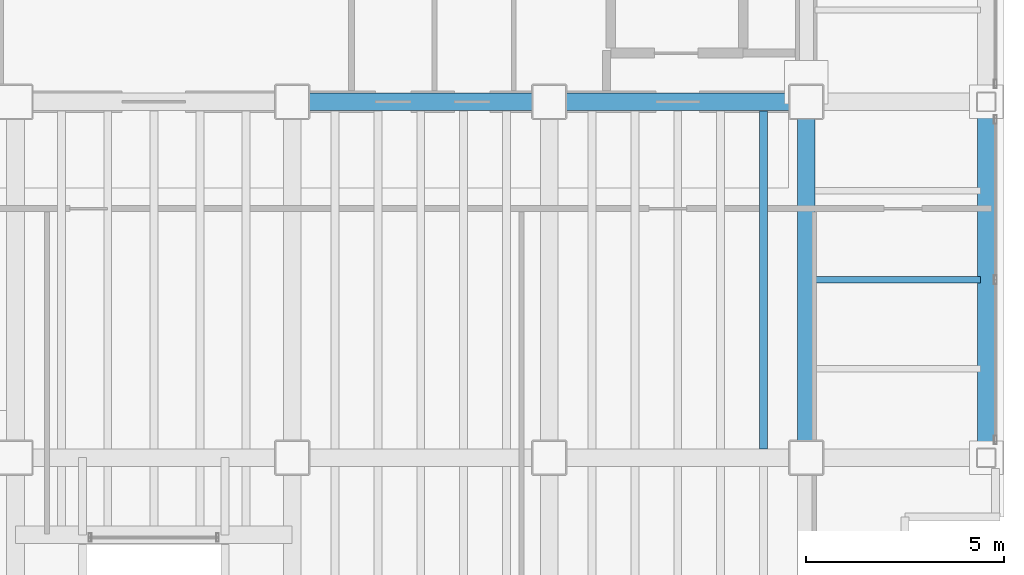
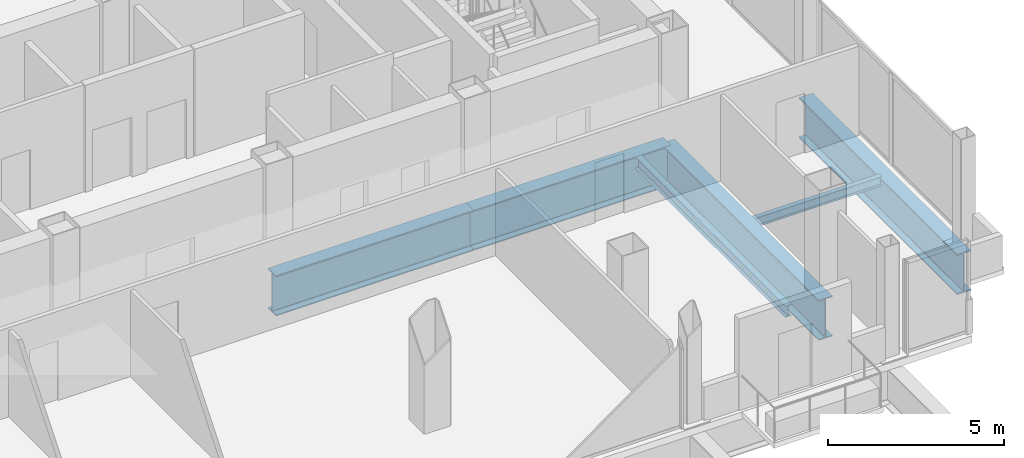
# One storey, part 15 of 24: 6 beams.
"""IFC4 building model written with IfcOpenShell, lengths in metres."""

from ifc_helpers import new_model, si_unit, direction, frame, origin, origin_2d, place, context, subcontext, project, spatial, i_section, extrude, material, material_profile, profile_set, type_object, element, save


model = new_model("IFC4")

# Units and contexts
model_context = context("Model", 3, precision=1e-05, world=origin(), true_north=direction((0.0, 1.0)))
body_context = subcontext(model_context, "Body", "Model", "MODEL_VIEW")
ifc_project = project(units=[si_unit("LENGTHUNIT", "METRE"), si_unit("AREAUNIT", "SQUARE_METRE"), si_unit("VOLUMEUNIT", "CUBIC_METRE"), si_unit("PLANEANGLEUNIT", "RADIAN"), si_unit("MASSUNIT", "GRAM", prefix="KILO")], contexts=[model_context])

# Site, building, storey
site_placement = place(None, origin())
site = spatial("IfcSite", under=ifc_project, at=site_placement, CompositionType="ELEMENT")
building_placement = place(site_placement, origin())
building = spatial("IfcBuilding", under=site, at=building_placement, Name="Noeulbin Bourse Tower", CompositionType="ELEMENT")
storey_placement = place(building_placement, frame((0.0, 0.0, 142.199951171875)))
storey = spatial("IfcBuildingStorey", under=building, at=storey_placement, Name="L35", CompositionType="ELEMENT", Elevation=142.199951171875)

# Beams
ifc_material_1 = material(Name="Steel S355", Category="steel")
ifc_material_profile_1 = material_profile(ifc_material_1, i_section(OverallWidth=0.159912109375, OverallDepth=0.320068359375, WebThickness=0.006591796875, FlangeThickness=0.010009765625, FilletRadius=0.012939453125, at=origin_2d()), Name="H-320x160x6.5x10", Category="LoadBearing")
ifc_profile_set_1 = profile_set([ifc_material_profile_1], Name="Steel S355")
beam_type_1 = type_object("IfcBeamType", Name="BM-JST-320", PredefinedType="JOIST", material=ifc_profile_set_1)
beam_1_placement = place(storey_placement, frame((44.22509765625, 24.5, -0.39990234375), z_axis=(1.0, 0.0, 0.0), x_axis=(0.0, 1.0, 0.0)))
element("IfcBeam", 1, at=beam_1_placement, inside=storey, type_object=beam_type_1, Name="Wing Composite Joist L35-E74", PredefinedType="JOIST", context=body_context, shape_type="SweptSolid", body=[
    extrude(i_section(OverallWidth=0.159912109375, OverallDepth=0.320068359375, WebThickness=0.006591796875, FlangeThickness=0.010009765625, FilletRadius=0.012939453125, at=origin_2d()), origin(), (0.0, 0.0, 1.0), 4.1748046875),
])
ifc_material_profile_2 = material_profile(ifc_material_1, i_section(OverallWidth=0.199951171875, OverallDepth=0.39990234375, WebThickness=0.008056640625, FlangeThickness=0.012939453125, FilletRadius=0.01611328125, at=origin_2d()), Name="H-400x200x8x13", Category="LoadBearing")
ifc_profile_set_2 = profile_set([ifc_material_profile_2], Name="Steel S355")
beam_type_2 = type_object("IfcBeamType", Name="BM-SEC-400", PredefinedType="BEAM", material=ifc_profile_set_2)
beam_2_placement = place(storey_placement, frame((42.916748046875, 20.22509765625, -0.43994140625), z_axis=(0.0, 1.0, 0.0), x_axis=(-1.0, 0.0, 0.0)))
element("IfcBeam", 2, at=beam_2_placement, inside=storey, type_object=beam_type_2, Name="Tower Composite Joist L35-68", PredefinedType="BEAM", context=body_context, shape_type="SweptSolid", body=[
    extrude(i_section(OverallWidth=0.199951171875, OverallDepth=0.39990234375, WebThickness=0.008056640625, FlangeThickness=0.012939453125, FilletRadius=0.01611328125, at=origin_2d()), origin(), (0.0, 0.0, 1.0), 8.5498046875),
])
ifc_material_2 = material(Name="Steel S460", Category="steel")
ifc_material_profile_3 = material_profile(ifc_material_2, i_section(OverallWidth=0.449951171875, OverallDepth=1.39990234375, WebThickness=0.02392578125, FlangeThickness=0.0400390625, FilletRadius=0.02392578125, at=origin_2d()), Name="PG-1400x450x24x40", Category="LoadBearing")
ifc_profile_set_3 = profile_set([ifc_material_profile_3], Name="Steel S460")
beam_type_3 = type_object("IfcBeamType", Name="BM-TRF-1400", PredefinedType="USERDEFINED", material=ifc_profile_set_3)
for number, where, z_axis, x_axis, name in (
    (3, (31.0, 29.0, -0.93994140625), (1.0, 0.0, 0.0), (0.0, 1.0, 0.0), "Tower Primary Girder EW L35-2.4"),
    (4, (37.5, 29.0, -0.93994140625), (1.0, 0.0, 0.0), (0.0, 1.0, 0.0), "Tower Primary Girder EW L35-2.5"),
):
    element("IfcBeam", number, at=place(storey_placement, frame(where, z_axis=z_axis, x_axis=x_axis)), inside=storey, type_object=beam_type_3, Name=name, ObjectType="GIRDER", PredefinedType="USERDEFINED", context=body_context, shape_type="SweptSolid", body=[
        extrude(i_section(OverallWidth=0.449951171875, OverallDepth=1.39990234375, WebThickness=0.02392578125, FlangeThickness=0.0400390625, FilletRadius=0.02392578125, at=origin_2d()), origin(), (0.0, 0.0, 1.0), 6.5),
    ])
for number, where, z_axis, x_axis, name in (
    (5, (44.0, 20.0, -0.93994140625), (0.0, 1.0, 0.0), (-1.0, 0.0, 0.0), "Tower Primary Girder NS L35-5.2"),
    (6, (48.550048828125, 20.0, -0.93994140625), (0.0, 1.0, 0.0), (-1.0, 0.0, 0.0), "East Spandrel L35-1"),
):
    element("IfcBeam", number, at=place(storey_placement, frame(where, z_axis=z_axis, x_axis=x_axis)), inside=storey, type_object=beam_type_3, Name=name, ObjectType="GIRDER", PredefinedType="USERDEFINED", context=body_context, shape_type="SweptSolid", body=[
        extrude(i_section(OverallWidth=0.449951171875, OverallDepth=1.39990234375, WebThickness=0.02392578125, FlangeThickness=0.0400390625, FilletRadius=0.02392578125, at=origin_2d()), origin(), (0.0, 0.0, 1.0), 9.0),
    ])

save(model, "model.ifc")
